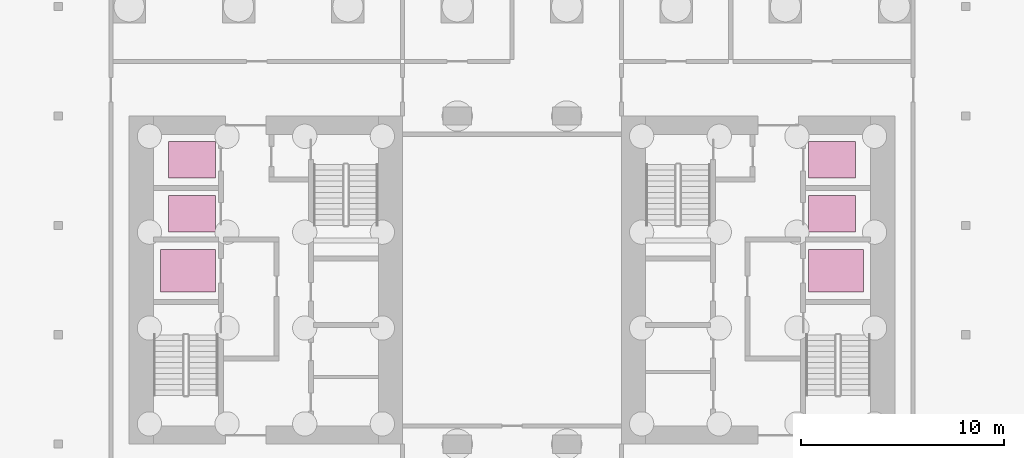
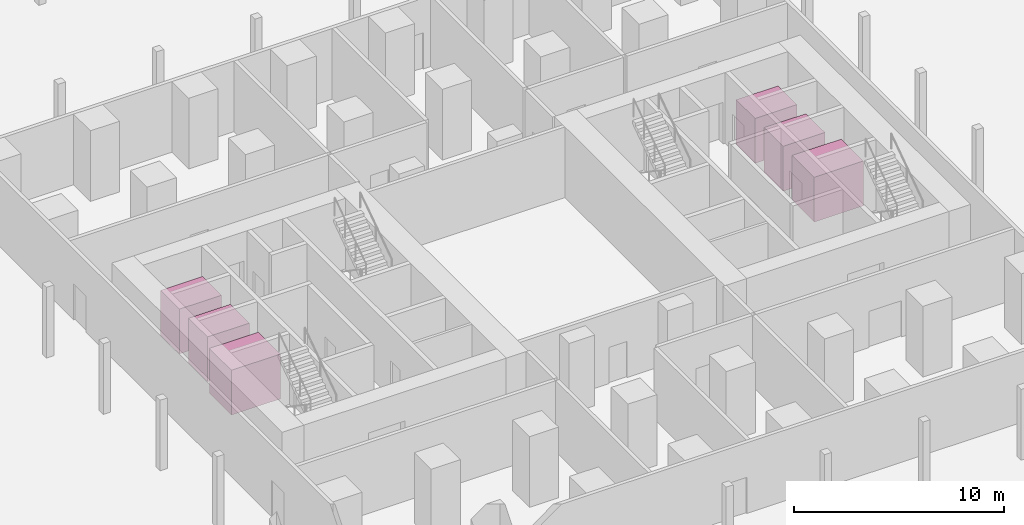
# One storey, part 8 of 8: 6 transport elements.
"""IFC4 building model written with IfcOpenShell, lengths in metres."""

from ifc_helpers import new_model, si_unit, direction, frame, origin, origin_2d, place, context, subcontext, project, spatial, rectangle, extrude, material, type_object, element, save


model = new_model("IFC4")

# Units and contexts
model_context = context("Model", 3, precision=1e-05, world=origin(), true_north=direction((0.0, 1.0)))
body_context = subcontext(model_context, "Body", "Model", "MODEL_VIEW")
ifc_project = project(units=[si_unit("LENGTHUNIT", "METRE"), si_unit("AREAUNIT", "SQUARE_METRE"), si_unit("VOLUMEUNIT", "CUBIC_METRE"), si_unit("PLANEANGLEUNIT", "RADIAN"), si_unit("MASSUNIT", "GRAM", prefix="KILO")], contexts=[model_context])

# Site, building, storey
site_placement = place(None, origin())
site = spatial("IfcSite", under=ifc_project, at=site_placement, CompositionType="ELEMENT")
building_placement = place(site_placement, origin())
building = spatial("IfcBuilding", under=site, at=building_placement, Name="Tabaq Tower and Sports Hall", CompositionType="ELEMENT")
storey_placement = place(building_placement, frame((0.0, 0.0, -9.0)))
storey = spatial("IfcBuildingStorey", under=building, at=storey_placement, Name="B02", CompositionType="ELEMENT", Elevation=-9.0)

# Transport elements
ifc_material_1 = material(Name="Fire-fighting lift")
transport_element_type_1 = type_object("IfcTransportElementType", Name="Fire-fighting lift", PredefinedType="ELEVATOR", material=ifc_material_1)
for number, where, z_axis, x_axis, name in (
    (1, (8.300048828125, 24.762451171875, 0.0), (0.0, 0.0, 1.0), (1.0, 0.0, 0.0), "Lift FF1 car"),
    (2, (40.300048828125, 24.762451171875, 0.0), (0.0, 0.0, 1.0), (1.0, 0.0, 0.0), "Lift FF2 car"),
):
    element("IfcTransportElement", number, at=place(storey_placement, frame(where, z_axis=z_axis, x_axis=x_axis)), inside=storey, type_object=transport_element_type_1, Name=name, PredefinedType="ELEVATOR", context=body_context, shape_type="SweptSolid", body=[
        extrude(rectangle(XDim=2.699951171875, YDim=2.10009765625, at=origin_2d()), origin(), (0.0, 0.0, 1.0), 2.60009765625),
    ])
ifc_material_2 = material(Name="Low-rise passenger lift")
transport_element_type_2 = type_object("IfcTransportElementType", Name="Low-rise passenger lift", PredefinedType="ELEVATOR", material=ifc_material_2)
for number, where, z_axis, x_axis, name in (
    (3, (8.5, 27.574951171875, 0.0), (0.0, 0.0, 1.0), (1.0, 0.0, 0.0), "Lift LR1 car"),
    (4, (8.5, 30.237548828125, 0.0), (0.0, 0.0, 1.0), (1.0, 0.0, 0.0), "Lift LR2 car"),
    (5, (40.10009765625, 27.574951171875, 0.0), (0.0, 0.0, 1.0), (1.0, 0.0, 0.0), "Lift LR3 car"),
    (6, (40.10009765625, 30.237548828125, 0.0), (0.0, 0.0, 1.0), (1.0, 0.0, 0.0), "Lift LR4 car"),
):
    element("IfcTransportElement", number, at=place(storey_placement, frame(where, z_axis=z_axis, x_axis=x_axis)), inside=storey, type_object=transport_element_type_2, Name=name, PredefinedType="ELEVATOR", context=body_context, shape_type="SweptSolid", body=[
        extrude(rectangle(XDim=2.300048828125, YDim=1.800048828125, at=origin_2d()), origin(), (0.0, 0.0, 1.0), 2.60009765625),
    ])

save(model, "model.ifc")
